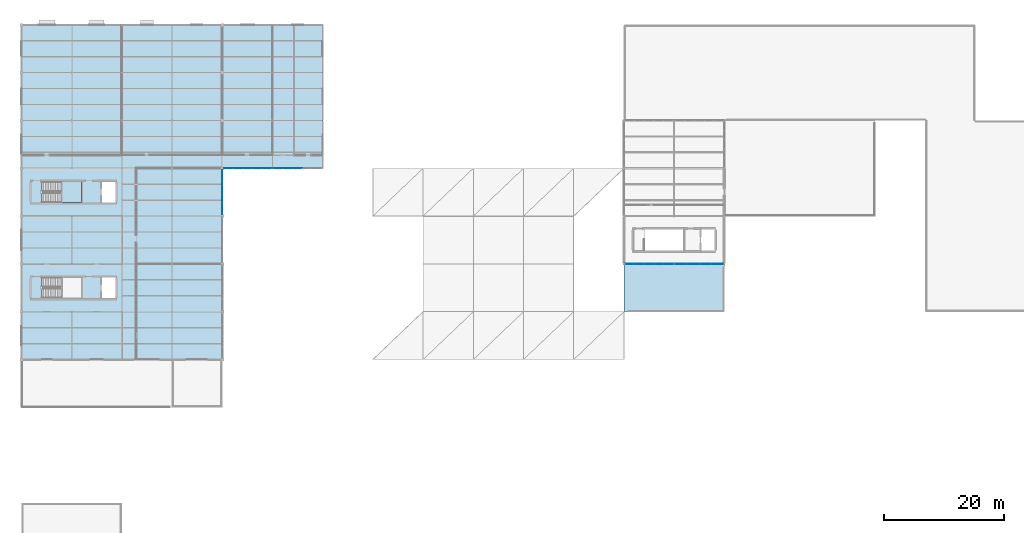
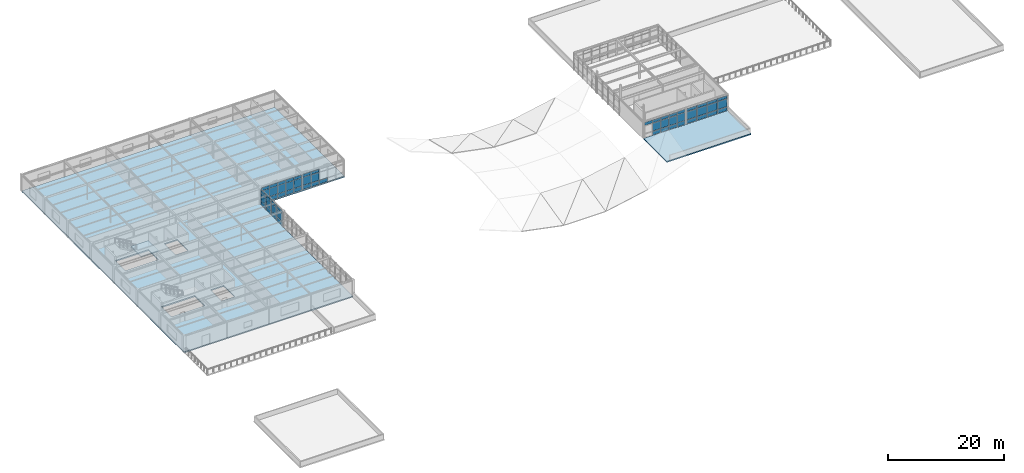
# One storey, part 20 of 32: 59 plates, 3 slabs, 6 elements without a shape of their own.
"""IFC4 building model written with IfcOpenShell, lengths in metres."""

from ifc_helpers import new_model, si_unit, direction, frame, origin, origin_2d, place, context, subcontext, project, spatial, polyline, rectangle, outline, extrude, material, layer, layer_set, type_object, element, aggregate, save


model = new_model("IFC4")

# Units and contexts
model_context = context("Model", 3, precision=1e-05, world=origin(), true_north=direction((0.0, 1.0)))
body_context = subcontext(model_context, "Body", "Model", "MODEL_VIEW")
ifc_project = project(units=[si_unit("LENGTHUNIT", "METRE"), si_unit("AREAUNIT", "SQUARE_METRE"), si_unit("VOLUMEUNIT", "CUBIC_METRE"), si_unit("PLANEANGLEUNIT", "RADIAN"), si_unit("MASSUNIT", "GRAM", prefix="KILO")], contexts=[model_context])

# Site, building, storey
site_placement = place(None, origin())
site = spatial("IfcSite", under=ifc_project, at=site_placement, CompositionType="ELEMENT")
building_placement = place(site_placement, origin())
building = spatial("IfcBuilding", under=site, at=building_placement, Name="Kranzveld Transit Interchange", CompositionType="ELEMENT")
storey_placement = place(building_placement, frame((0.0, 0.0, 17.199951171875)))
storey = spatial("IfcBuildingStorey", under=building, at=storey_placement, Name="L04", CompositionType="ELEMENT", Elevation=17.199951171875)

# Slabs
ifc_material_1 = material(Name="Concrete C35/45", Category="concrete")
ifc_layer_1 = layer(ifc_material_1, 0.260009765625)
ifc_layer_set_1 = layer_set([ifc_layer_1], Name="Concrete C35/45")
slab_type_1 = type_object("IfcSlabType", Name="Community Roof Slab 260 C35/45", PredefinedType="ROOF", material=ifc_layer_set_1)
slab_1_placement = place(storey_placement, frame((0.0, 0.0, -0.260009765625)))
element("IfcSlab", 1, at=slab_1_placement, inside=storey, type_object=slab_type_1, Name="L04 Flat Roof Slab 4", PredefinedType="ROOF", context=body_context, shape_type="SweptSolid", body=[
    extrude(outline(polyline([(117.60009765625, 64.0), (100.800048828125, 64.0), (100.800048828125, 72.0), (117.60009765625, 72.0), (117.60009765625, 64.0)])), origin(), (0.0, 0.0, 1.0), 0.260009765625),
])
ifc_material_2 = material(Name="Concrete C35/45", Category="concrete")
ifc_layer_2 = layer(ifc_material_2, 0.260009765625)
ifc_layer_set_2 = layer_set([ifc_layer_2], Name="Concrete C35/45")
slab_type_2 = type_object("IfcSlabType", Name="Composite Floor Slab 260 C35/45", PredefinedType="FLOOR", material=ifc_layer_set_2)
slab_2_placement = place(storey_placement, frame((0.0, 0.0, -0.260009765625)))
element("IfcSlab", 2, at=slab_2_placement, inside=storey, type_object=slab_type_2, Name="L04 Suspended Floor Slab 1", PredefinedType="FLOOR", context=body_context, shape_type="SweptSolid", body=[
    extrude(outline(polyline([(0.0, 56.0), (0.0, 112.0), (33.60009765625, 112.0), (50.39990234375, 112.0), (50.39990234375, 88.0), (33.60009765625, 88.0), (33.60009765625, 56.0), (0.0, 56.0)]), holes=[polyline([(3.41796875, 69.72998046875), (3.41796875, 66.27001953125), (10.050048828125, 66.27001953125), (10.050048828125, 69.72998046875), (3.41796875, 69.72998046875)]), polyline([(13.300048828125, 69.909912109375), (13.300048828125, 66.090087890625), (15.89990234375, 66.090087890625), (15.89990234375, 69.909912109375), (13.300048828125, 69.909912109375)]), polyline([(10.050048828125, 85.72998046875), (3.41796875, 85.72998046875), (3.41796875, 82.27001953125), (10.050048828125, 82.27001953125), (10.050048828125, 85.72998046875)]), polyline([(13.300048828125, 85.909912109375), (13.300048828125, 82.090087890625), (15.89990234375, 82.090087890625), (15.89990234375, 85.909912109375), (13.300048828125, 85.909912109375)])]), origin(), (0.0, 0.0, 1.0), 0.260009765625),
])

# Curtain wall, plates
ifc_material_3 = material(Name="Bronze-anodised thermally broken aluminium", Category="aluminium")
ifc_layer_3 = layer(ifc_material_3, 0.159912109375)
ifc_layer_set_3 = layer_set([ifc_layer_3], Name="Bronze-anodised thermally broken aluminium")
curtain_wall_type_1 = type_object("IfcCurtainWallType", Name="Bus Boarding Glazed Screen CW-3", PredefinedType="USERDEFINED", material=ifc_layer_set_3)
curtain_wall_1_placement = place(storey_placement, origin())
curtain_wall_1 = element("IfcCurtainWall", 3, at=curtain_wall_1_placement, inside=storey, type_object=curtain_wall_type_1, Name="L04 Curtain Wall 05/L-05/M", ObjectType="CURTAIN WALL", PredefinedType="USERDEFINED")
ifc_material_4 = material(Name="Solar-control double glazing", Category="glass")
ifc_layer_4 = layer(ifc_material_4, 0.031982421875)
ifc_layer_set_4 = layer_set([ifc_layer_4], Name="Solar-control double glazing")
plate_type_1 = type_object("IfcPlateType", Name="Curtain Panel Acoustic Glazing 32", PredefinedType="CURTAIN_PANEL", material=ifc_layer_set_4)
plate_1_placement = place(storey_placement, frame((33.60009765625, 81.202392578125, 0.06005859375), z_axis=(0.0, 0.0, 1.0), x_axis=(0.0, 1.0, 0.0)))
plate_1 = element("IfcPlate", 4, at=plate_1_placement, type_object=plate_type_1, Name="CW-3 panel 1.1", PredefinedType="CURTAIN_PANEL", context=body_context, shape_type="SweptSolid", body=[
    extrude(rectangle(XDim=1.784912109375, YDim=0.031982421875, at=origin_2d()), origin(), (0.0, 0.0, 1.0), 0.81005859375),
])
plate_2_placement = place(storey_placement, frame((33.60009765625, 81.202392578125, 0.93017578125), z_axis=(0.0, 0.0, 1.0), x_axis=(0.0, 1.0, 0.0)))
plate_2 = element("IfcPlate", 5, at=plate_2_placement, type_object=plate_type_1, Name="CW-3 panel 1.2", PredefinedType="CURTAIN_PANEL", context=body_context, shape_type="SweptSolid", body=[
    extrude(rectangle(XDim=1.784912109375, YDim=0.031982421875, at=origin_2d()), origin(), (0.0, 0.0, 1.0), 1.6298828125),
])
plate_3_placement = place(storey_placement, frame((33.60009765625, 81.202392578125, 2.6201171875), z_axis=(0.0, 0.0, 1.0), x_axis=(0.0, 1.0, 0.0)))
plate_3 = element("IfcPlate", 6, at=plate_3_placement, type_object=plate_type_1, Name="CW-3 panel 1.3", PredefinedType="CURTAIN_PANEL", context=body_context, shape_type="SweptSolid", body=[
    extrude(rectangle(XDim=1.784912109375, YDim=0.031982421875, at=origin_2d()), origin(), (0.0, 0.0, 1.0), 0.610107421875),
])
plate_4_placement = place(storey_placement, frame((33.60009765625, 83.0625, 0.06005859375), z_axis=(0.0, 0.0, 1.0), x_axis=(0.0, 1.0, 0.0)))
plate_4 = element("IfcPlate", 7, at=plate_4_placement, type_object=plate_type_1, Name="CW-3 panel 2.1", PredefinedType="CURTAIN_PANEL", context=body_context, shape_type="SweptSolid", body=[
    extrude(rectangle(XDim=1.81494140625, YDim=0.031982421875, at=origin_2d()), origin(), (0.0, 0.0, 1.0), 0.81005859375),
])
plate_5_placement = place(storey_placement, frame((33.60009765625, 83.0625, 0.93017578125), z_axis=(0.0, 0.0, 1.0), x_axis=(0.0, 1.0, 0.0)))
plate_5 = element("IfcPlate", 8, at=plate_5_placement, type_object=plate_type_1, Name="CW-3 panel 2.2", PredefinedType="CURTAIN_PANEL", context=body_context, shape_type="SweptSolid", body=[
    extrude(rectangle(XDim=1.81494140625, YDim=0.031982421875, at=origin_2d()), origin(), (0.0, 0.0, 1.0), 1.6298828125),
])
plate_6_placement = place(storey_placement, frame((33.60009765625, 83.0625, 2.6201171875), z_axis=(0.0, 0.0, 1.0), x_axis=(0.0, 1.0, 0.0)))
plate_6 = element("IfcPlate", 9, at=plate_6_placement, type_object=plate_type_1, Name="CW-3 panel 2.3", PredefinedType="CURTAIN_PANEL", context=body_context, shape_type="SweptSolid", body=[
    extrude(rectangle(XDim=1.81494140625, YDim=0.031982421875, at=origin_2d()), origin(), (0.0, 0.0, 1.0), 0.610107421875),
])
plate_7_placement = place(storey_placement, frame((33.60009765625, 84.9375, 0.06005859375), z_axis=(0.0, 0.0, 1.0), x_axis=(0.0, 1.0, 0.0)))
plate_7 = element("IfcPlate", 10, at=plate_7_placement, type_object=plate_type_1, Name="CW-3 panel 3.1", PredefinedType="CURTAIN_PANEL", context=body_context, shape_type="SweptSolid", body=[
    extrude(rectangle(XDim=1.81494140625, YDim=0.031982421875, at=origin_2d()), origin(), (0.0, 0.0, 1.0), 0.81005859375),
])
plate_8_placement = place(storey_placement, frame((33.60009765625, 84.9375, 0.93017578125), z_axis=(0.0, 0.0, 1.0), x_axis=(0.0, 1.0, 0.0)))
plate_8 = element("IfcPlate", 11, at=plate_8_placement, type_object=plate_type_1, Name="CW-3 panel 3.2", PredefinedType="CURTAIN_PANEL", context=body_context, shape_type="SweptSolid", body=[
    extrude(rectangle(XDim=1.81494140625, YDim=0.031982421875, at=origin_2d()), origin(), (0.0, 0.0, 1.0), 1.6298828125),
])
plate_9_placement = place(storey_placement, frame((33.60009765625, 84.9375, 2.6201171875), z_axis=(0.0, 0.0, 1.0), x_axis=(0.0, 1.0, 0.0)))
plate_9 = element("IfcPlate", 12, at=plate_9_placement, type_object=plate_type_1, Name="CW-3 panel 3.3", PredefinedType="CURTAIN_PANEL", context=body_context, shape_type="SweptSolid", body=[
    extrude(rectangle(XDim=1.81494140625, YDim=0.031982421875, at=origin_2d()), origin(), (0.0, 0.0, 1.0), 0.610107421875),
])
plate_10_placement = place(storey_placement, frame((33.60009765625, 86.797607421875, 0.06005859375), z_axis=(0.0, 0.0, 1.0), x_axis=(0.0, 1.0, 0.0)))
plate_10 = element("IfcPlate", 13, at=plate_10_placement, type_object=plate_type_1, Name="CW-3 panel 4.1", PredefinedType="CURTAIN_PANEL", context=body_context, shape_type="SweptSolid", body=[
    extrude(rectangle(XDim=1.784912109375, YDim=0.031982421875, at=origin_2d()), origin(), (0.0, 0.0, 1.0), 0.81005859375),
])
plate_11_placement = place(storey_placement, frame((33.60009765625, 86.797607421875, 0.93017578125), z_axis=(0.0, 0.0, 1.0), x_axis=(0.0, 1.0, 0.0)))
plate_11 = element("IfcPlate", 14, at=plate_11_placement, type_object=plate_type_1, Name="CW-3 panel 4.2", PredefinedType="CURTAIN_PANEL", context=body_context, shape_type="SweptSolid", body=[
    extrude(rectangle(XDim=1.784912109375, YDim=0.031982421875, at=origin_2d()), origin(), (0.0, 0.0, 1.0), 1.6298828125),
])
plate_12_placement = place(storey_placement, frame((33.60009765625, 86.797607421875, 2.6201171875), z_axis=(0.0, 0.0, 1.0), x_axis=(0.0, 1.0, 0.0)))
plate_12 = element("IfcPlate", 15, at=plate_12_placement, type_object=plate_type_1, Name="CW-3 panel 4.3", PredefinedType="CURTAIN_PANEL", context=body_context, shape_type="SweptSolid", body=[
    extrude(rectangle(XDim=1.784912109375, YDim=0.031982421875, at=origin_2d()), origin(), (0.0, 0.0, 1.0), 0.610107421875),
])
aggregate(curtain_wall_1, [plate_1, plate_2, plate_3, plate_4, plate_5, plate_6, plate_7, plate_8, plate_9, plate_10, plate_11, plate_12])

ifc_material_5 = material(Name="Bronze-anodised thermally broken aluminium", Category="aluminium")
ifc_layer_5 = layer(ifc_material_5, 0.1650390625)
ifc_layer_set_5 = layer_set([ifc_layer_5], Name="Bronze-anodised thermally broken aluminium")
curtain_wall_type_2 = type_object("IfcCurtainWallType", Name="Sunny Court Arcade Curtain Wall CW-2", PredefinedType="USERDEFINED", material=ifc_layer_set_5)
curtain_wall_2_placement = place(storey_placement, origin())
curtain_wall_2 = element("IfcCurtainWall", 16, at=curtain_wall_2_placement, inside=storey, type_object=curtain_wall_type_2, Name="L04 Curtain Wall 06/M-07/M", ObjectType="CURTAIN WALL", PredefinedType="USERDEFINED")
ifc_material_6 = material(Name="Pretoria red-purple clinker clay face brick, 35 MPa", Category="masonry")
ifc_layer_6 = layer(ifc_material_6, 0.050048828125)
ifc_layer_set_6 = layer_set([ifc_layer_6], Name="Pretoria red-purple clinker clay face brick, 35 MPa")
plate_type_2 = type_object("IfcPlateType", Name="Curtain Spandrel Clinker Tile 50", PredefinedType="CURTAIN_PANEL", material=ifc_layer_set_6)
plate_13_placement = place(storey_placement, frame((42.9384765625, 88.0, 0.06005859375), z_axis=(0.0, 0.0, 1.0), x_axis=(1.0, 0.0, 0.0)))
plate_13 = element("IfcPlate", 17, at=plate_13_placement, type_object=plate_type_2, Name="CW-2 panel 1.1", PredefinedType="CURTAIN_PANEL", context=body_context, shape_type="SweptSolid", body=[
    extrude(rectangle(XDim=1.541259765625, YDim=0.050048828125, at=origin_2d()), origin(), (0.0, 0.0, 1.0), 0.81005859375),
])
plate_14_placement = place(storey_placement, frame((42.9384765625, 88.0, 0.93017578125), z_axis=(0.0, 0.0, 1.0), x_axis=(1.0, 0.0, 0.0)))
plate_14 = element("IfcPlate", 18, at=plate_14_placement, type_object=plate_type_2, Name="CW-2 panel 1.2", PredefinedType="CURTAIN_PANEL", context=body_context, shape_type="SweptSolid", body=[
    extrude(rectangle(XDim=1.541259765625, YDim=0.050048828125, at=origin_2d()), origin(), (0.0, 0.0, 1.0), 1.669921875),
])
plate_15_placement = place(storey_placement, frame((42.9384765625, 88.0, 2.66015625), z_axis=(0.0, 0.0, 1.0), x_axis=(1.0, 0.0, 0.0)))
plate_15 = element("IfcPlate", 19, at=plate_15_placement, type_object=plate_type_2, Name="CW-2 panel 1.3", PredefinedType="CURTAIN_PANEL", context=body_context, shape_type="SweptSolid", body=[
    extrude(rectangle(XDim=1.541259765625, YDim=0.050048828125, at=origin_2d()), origin(), (0.0, 0.0, 1.0), 0.610107421875),
])
plate_16_placement = place(storey_placement, frame((44.561279296875, 88.0, 0.06005859375), z_axis=(0.0, 0.0, 1.0), x_axis=(1.0, 0.0, 0.0)))
plate_16 = element("IfcPlate", 20, at=plate_16_placement, type_object=plate_type_2, Name="CW-2 panel 2.1", PredefinedType="CURTAIN_PANEL", context=body_context, shape_type="SweptSolid", body=[
    extrude(rectangle(XDim=1.57373046875, YDim=0.050048828125, at=origin_2d()), origin(), (0.0, 0.0, 1.0), 0.81005859375),
])
plate_17_placement = place(storey_placement, frame((44.561279296875, 88.0, 0.93017578125), z_axis=(0.0, 0.0, 1.0), x_axis=(1.0, 0.0, 0.0)))
plate_17 = element("IfcPlate", 21, at=plate_17_placement, type_object=plate_type_2, Name="CW-2 panel 2.2", PredefinedType="CURTAIN_PANEL", context=body_context, shape_type="SweptSolid", body=[
    extrude(rectangle(XDim=1.57373046875, YDim=0.050048828125, at=origin_2d()), origin(), (0.0, 0.0, 1.0), 1.669921875),
])
plate_18_placement = place(storey_placement, frame((44.561279296875, 88.0, 2.66015625), z_axis=(0.0, 0.0, 1.0), x_axis=(1.0, 0.0, 0.0)))
plate_18 = element("IfcPlate", 22, at=plate_18_placement, type_object=plate_type_2, Name="CW-2 panel 2.3", PredefinedType="CURTAIN_PANEL", context=body_context, shape_type="SweptSolid", body=[
    extrude(rectangle(XDim=1.57373046875, YDim=0.050048828125, at=origin_2d()), origin(), (0.0, 0.0, 1.0), 0.610107421875),
])
plate_19_placement = place(storey_placement, frame((46.199951171875, 88.0, 0.06005859375), z_axis=(0.0, 0.0, 1.0), x_axis=(1.0, 0.0, 0.0)))
plate_19 = element("IfcPlate", 23, at=plate_19_placement, type_object=plate_type_2, Name="CW-2 panel 3.1", PredefinedType="CURTAIN_PANEL", context=body_context, shape_type="SweptSolid", body=[
    extrude(rectangle(XDim=1.57373046875, YDim=0.050048828125, at=origin_2d()), origin(), (0.0, 0.0, 1.0), 0.81005859375),
])
aggregate(curtain_wall_2, [plate_13, plate_14, plate_15, plate_16, plate_17, plate_18, plate_19])

curtain_wall_3_placement = place(storey_placement, origin())
curtain_wall_3 = element("IfcCurtainWall", 24, at=curtain_wall_3_placement, inside=storey, type_object=curtain_wall_type_2, Name="L04 Curtain Wall 13/K-14/K", ObjectType="CURTAIN WALL", PredefinedType="USERDEFINED")
plate_20_placement = place(storey_placement, frame((101.738525390625, 72.0, 2.66015625), z_axis=(0.0, 0.0, 1.0), x_axis=(1.0, 0.0, 0.0)))
plate_20 = element("IfcPlate", 25, at=plate_20_placement, type_object=plate_type_2, Name="CW-2 panel 1.3", PredefinedType="CURTAIN_PANEL", context=body_context, shape_type="SweptSolid", body=[
    extrude(rectangle(XDim=1.541259765625, YDim=0.050048828125, at=origin_2d()), origin(), (0.0, 0.0, 1.0), 0.610107421875),
])
plate_21_placement = place(storey_placement, frame((103.361083984375, 72.0, 0.06005859375), z_axis=(0.0, 0.0, 1.0), x_axis=(1.0, 0.0, 0.0)))
plate_21 = element("IfcPlate", 26, at=plate_21_placement, type_object=plate_type_2, Name="CW-2 panel 2.1", PredefinedType="CURTAIN_PANEL", context=body_context, shape_type="SweptSolid", body=[
    extrude(rectangle(XDim=1.57373046875, YDim=0.050048828125, at=origin_2d()), origin(), (0.0, 0.0, 1.0), 0.81005859375),
])
plate_22_placement = place(storey_placement, frame((103.361083984375, 72.0, 0.93017578125), z_axis=(0.0, 0.0, 1.0), x_axis=(1.0, 0.0, 0.0)))
plate_22 = element("IfcPlate", 27, at=plate_22_placement, type_object=plate_type_2, Name="CW-2 panel 2.2", PredefinedType="CURTAIN_PANEL", context=body_context, shape_type="SweptSolid", body=[
    extrude(rectangle(XDim=1.57373046875, YDim=0.050048828125, at=origin_2d()), origin(), (0.0, 0.0, 1.0), 1.669921875),
])
plate_23_placement = place(storey_placement, frame((103.361083984375, 72.0, 2.66015625), z_axis=(0.0, 0.0, 1.0), x_axis=(1.0, 0.0, 0.0)))
plate_23 = element("IfcPlate", 28, at=plate_23_placement, type_object=plate_type_2, Name="CW-2 panel 2.3", PredefinedType="CURTAIN_PANEL", context=body_context, shape_type="SweptSolid", body=[
    extrude(rectangle(XDim=1.57373046875, YDim=0.050048828125, at=origin_2d()), origin(), (0.0, 0.0, 1.0), 0.610107421875),
])
plate_24_placement = place(storey_placement, frame((105.0, 72.0, 0.06005859375), z_axis=(0.0, 0.0, 1.0), x_axis=(1.0, 0.0, 0.0)))
plate_24 = element("IfcPlate", 29, at=plate_24_placement, type_object=plate_type_2, Name="CW-2 panel 3.1", PredefinedType="CURTAIN_PANEL", context=body_context, shape_type="SweptSolid", body=[
    extrude(rectangle(XDim=1.57373046875, YDim=0.050048828125, at=origin_2d()), origin(), (0.0, 0.0, 1.0), 0.81005859375),
])
plate_25_placement = place(storey_placement, frame((105.0, 72.0, 0.93017578125), z_axis=(0.0, 0.0, 1.0), x_axis=(1.0, 0.0, 0.0)))
plate_25 = element("IfcPlate", 30, at=plate_25_placement, type_object=plate_type_2, Name="CW-2 panel 3.2", PredefinedType="CURTAIN_PANEL", context=body_context, shape_type="SweptSolid", body=[
    extrude(rectangle(XDim=1.57373046875, YDim=0.050048828125, at=origin_2d()), origin(), (0.0, 0.0, 1.0), 1.669921875),
])
plate_26_placement = place(storey_placement, frame((105.0, 72.0, 2.66015625), z_axis=(0.0, 0.0, 1.0), x_axis=(1.0, 0.0, 0.0)))
plate_26 = element("IfcPlate", 31, at=plate_26_placement, type_object=plate_type_2, Name="CW-2 panel 3.3", PredefinedType="CURTAIN_PANEL", context=body_context, shape_type="SweptSolid", body=[
    extrude(rectangle(XDim=1.57373046875, YDim=0.050048828125, at=origin_2d()), origin(), (0.0, 0.0, 1.0), 0.610107421875),
])
plate_27_placement = place(storey_placement, frame((106.638916015625, 72.0, 0.06005859375), z_axis=(0.0, 0.0, 1.0), x_axis=(1.0, 0.0, 0.0)))
plate_27 = element("IfcPlate", 32, at=plate_27_placement, type_object=plate_type_2, Name="CW-2 panel 4.1", PredefinedType="CURTAIN_PANEL", context=body_context, shape_type="SweptSolid", body=[
    extrude(rectangle(XDim=1.57373046875, YDim=0.050048828125, at=origin_2d()), origin(), (0.0, 0.0, 1.0), 0.81005859375),
])
plate_28_placement = place(storey_placement, frame((106.638916015625, 72.0, 0.93017578125), z_axis=(0.0, 0.0, 1.0), x_axis=(1.0, 0.0, 0.0)))
plate_28 = element("IfcPlate", 33, at=plate_28_placement, type_object=plate_type_2, Name="CW-2 panel 4.2", PredefinedType="CURTAIN_PANEL", context=body_context, shape_type="SweptSolid", body=[
    extrude(rectangle(XDim=1.57373046875, YDim=0.050048828125, at=origin_2d()), origin(), (0.0, 0.0, 1.0), 1.669921875),
])
plate_29_placement = place(storey_placement, frame((106.638916015625, 72.0, 2.66015625), z_axis=(0.0, 0.0, 1.0), x_axis=(1.0, 0.0, 0.0)))
plate_29 = element("IfcPlate", 34, at=plate_29_placement, type_object=plate_type_2, Name="CW-2 panel 4.3", PredefinedType="CURTAIN_PANEL", context=body_context, shape_type="SweptSolid", body=[
    extrude(rectangle(XDim=1.57373046875, YDim=0.050048828125, at=origin_2d()), origin(), (0.0, 0.0, 1.0), 0.610107421875),
])
plate_30_placement = place(storey_placement, frame((108.261474609375, 72.0, 0.06005859375), z_axis=(0.0, 0.0, 1.0), x_axis=(1.0, 0.0, 0.0)))
plate_30 = element("IfcPlate", 35, at=plate_30_placement, type_object=plate_type_2, Name="CW-2 panel 5.1", PredefinedType="CURTAIN_PANEL", context=body_context, shape_type="SweptSolid", body=[
    extrude(rectangle(XDim=1.541259765625, YDim=0.050048828125, at=origin_2d()), origin(), (0.0, 0.0, 1.0), 0.81005859375),
])
plate_31_placement = place(storey_placement, frame((108.261474609375, 72.0, 0.93017578125), z_axis=(0.0, 0.0, 1.0), x_axis=(1.0, 0.0, 0.0)))
plate_31 = element("IfcPlate", 36, at=plate_31_placement, type_object=plate_type_2, Name="CW-2 panel 5.2", PredefinedType="CURTAIN_PANEL", context=body_context, shape_type="SweptSolid", body=[
    extrude(rectangle(XDim=1.541259765625, YDim=0.050048828125, at=origin_2d()), origin(), (0.0, 0.0, 1.0), 1.669921875),
])
plate_32_placement = place(storey_placement, frame((108.261474609375, 72.0, 2.66015625), z_axis=(0.0, 0.0, 1.0), x_axis=(1.0, 0.0, 0.0)))
plate_32 = element("IfcPlate", 37, at=plate_32_placement, type_object=plate_type_2, Name="CW-2 panel 5.3", PredefinedType="CURTAIN_PANEL", context=body_context, shape_type="SweptSolid", body=[
    extrude(rectangle(XDim=1.541259765625, YDim=0.050048828125, at=origin_2d()), origin(), (0.0, 0.0, 1.0), 0.610107421875),
])
aggregate(curtain_wall_3, [plate_20, plate_21, plate_22, plate_23, plate_24, plate_25, plate_26, plate_27, plate_28, plate_29, plate_30, plate_31, plate_32])

curtain_wall_4_placement = place(storey_placement, origin())
curtain_wall_4 = element("IfcCurtainWall", 38, at=curtain_wall_4_placement, inside=storey, type_object=curtain_wall_type_1, Name="L04 Curtain Wall 14/K-15/K", ObjectType="CURTAIN WALL", PredefinedType="USERDEFINED")
ifc_material_7 = material(Name="Bronze-anodised thermally broken aluminium", Category="aluminium")
ifc_layer_7 = layer(ifc_material_7, 0.053955078125)
ifc_layer_set_7 = layer_set([ifc_layer_7], Name="Bronze-anodised thermally broken aluminium")
plate_type_3 = type_object("IfcPlateType", Name="Curtain Spandrel Insulated Alu 54", PredefinedType="CURTAIN_PANEL", material=ifc_layer_set_7)
plate_33_placement = place(storey_placement, frame((110.34228515625, 72.0, 0.06494140625), z_axis=(0.0, 0.0, 1.0), x_axis=(1.0, 0.0, 0.0)))
plate_33 = element("IfcPlate", 39, at=plate_33_placement, type_object=plate_type_3, Name="CW-3 panel 1.1", PredefinedType="CURTAIN_PANEL", context=body_context, shape_type="SweptSolid", body=[
    extrude(rectangle(XDim=1.95849609375, YDim=0.053955078125, at=origin_2d()), origin(), (0.0, 0.0, 1.0), 0.802490234375),
])
plate_34_placement = place(storey_placement, frame((110.34228515625, 72.0, 0.9326171875), z_axis=(0.0, 0.0, 1.0), x_axis=(1.0, 0.0, 0.0)))
plate_34 = element("IfcPlate", 40, at=plate_34_placement, type_object=plate_type_3, Name="CW-3 panel 1.2", PredefinedType="CURTAIN_PANEL", context=body_context, shape_type="SweptSolid", body=[
    extrude(rectangle(XDim=1.95849609375, YDim=0.053955078125, at=origin_2d()), origin(), (0.0, 0.0, 1.0), 1.6650390625),
])
plate_35_placement = place(storey_placement, frame((110.34228515625, 72.0, 2.66259765625), z_axis=(0.0, 0.0, 1.0), x_axis=(1.0, 0.0, 0.0)))
plate_35 = element("IfcPlate", 41, at=plate_35_placement, type_object=plate_type_3, Name="CW-3 panel 1.3", PredefinedType="CURTAIN_PANEL", context=body_context, shape_type="SweptSolid", body=[
    extrude(rectangle(XDim=1.95849609375, YDim=0.053955078125, at=origin_2d()), origin(), (0.0, 0.0, 1.0), 0.6025390625),
])
plate_36_placement = place(storey_placement, frame((112.375732421875, 72.0, 0.06494140625), z_axis=(0.0, 0.0, 1.0), x_axis=(1.0, 0.0, 0.0)))
plate_36 = element("IfcPlate", 42, at=plate_36_placement, type_object=plate_type_3, Name="CW-3 panel 2.1", PredefinedType="CURTAIN_PANEL", context=body_context, shape_type="SweptSolid", body=[
    extrude(rectangle(XDim=1.988525390625, YDim=0.053955078125, at=origin_2d()), origin(), (0.0, 0.0, 1.0), 0.802490234375),
])
plate_37_placement = place(storey_placement, frame((112.375732421875, 72.0, 0.9326171875), z_axis=(0.0, 0.0, 1.0), x_axis=(1.0, 0.0, 0.0)))
plate_37 = element("IfcPlate", 43, at=plate_37_placement, type_object=plate_type_3, Name="CW-3 panel 2.2", PredefinedType="CURTAIN_PANEL", context=body_context, shape_type="SweptSolid", body=[
    extrude(rectangle(XDim=1.988525390625, YDim=0.053955078125, at=origin_2d()), origin(), (0.0, 0.0, 1.0), 1.6650390625),
])
plate_38_placement = place(storey_placement, frame((112.375732421875, 72.0, 2.66259765625), z_axis=(0.0, 0.0, 1.0), x_axis=(1.0, 0.0, 0.0)))
plate_38 = element("IfcPlate", 44, at=plate_38_placement, type_object=plate_type_3, Name="CW-3 panel 2.3", PredefinedType="CURTAIN_PANEL", context=body_context, shape_type="SweptSolid", body=[
    extrude(rectangle(XDim=1.988525390625, YDim=0.053955078125, at=origin_2d()), origin(), (0.0, 0.0, 1.0), 0.6025390625),
])
plate_39_placement = place(storey_placement, frame((114.42431640625, 72.0, 0.06494140625), z_axis=(0.0, 0.0, 1.0), x_axis=(1.0, 0.0, 0.0)))
plate_39 = element("IfcPlate", 45, at=plate_39_placement, type_object=plate_type_3, Name="CW-3 panel 3.1", PredefinedType="CURTAIN_PANEL", context=body_context, shape_type="SweptSolid", body=[
    extrude(rectangle(XDim=1.988525390625, YDim=0.053955078125, at=origin_2d()), origin(), (0.0, 0.0, 1.0), 0.802490234375),
])
plate_40_placement = place(storey_placement, frame((114.42431640625, 72.0, 0.9326171875), z_axis=(0.0, 0.0, 1.0), x_axis=(1.0, 0.0, 0.0)))
plate_40 = element("IfcPlate", 46, at=plate_40_placement, type_object=plate_type_3, Name="CW-3 panel 3.2", PredefinedType="CURTAIN_PANEL", context=body_context, shape_type="SweptSolid", body=[
    extrude(rectangle(XDim=1.988525390625, YDim=0.053955078125, at=origin_2d()), origin(), (0.0, 0.0, 1.0), 1.6650390625),
])
plate_41_placement = place(storey_placement, frame((114.42431640625, 72.0, 2.66259765625), z_axis=(0.0, 0.0, 1.0), x_axis=(1.0, 0.0, 0.0)))
plate_41 = element("IfcPlate", 47, at=plate_41_placement, type_object=plate_type_3, Name="CW-3 panel 3.3", PredefinedType="CURTAIN_PANEL", context=body_context, shape_type="SweptSolid", body=[
    extrude(rectangle(XDim=1.988525390625, YDim=0.053955078125, at=origin_2d()), origin(), (0.0, 0.0, 1.0), 0.6025390625),
])
plate_42_placement = place(storey_placement, frame((116.457763671875, 72.0, 0.06494140625), z_axis=(0.0, 0.0, 1.0), x_axis=(1.0, 0.0, 0.0)))
plate_42 = element("IfcPlate", 48, at=plate_42_placement, type_object=plate_type_3, Name="CW-3 panel 4.1", PredefinedType="CURTAIN_PANEL", context=body_context, shape_type="SweptSolid", body=[
    extrude(rectangle(XDim=1.95849609375, YDim=0.053955078125, at=origin_2d()), origin(), (0.0, 0.0, 1.0), 0.802490234375),
])
plate_43_placement = place(storey_placement, frame((116.457763671875, 72.0, 0.9326171875), z_axis=(0.0, 0.0, 1.0), x_axis=(1.0, 0.0, 0.0)))
plate_43 = element("IfcPlate", 49, at=plate_43_placement, type_object=plate_type_3, Name="CW-3 panel 4.2", PredefinedType="CURTAIN_PANEL", context=body_context, shape_type="SweptSolid", body=[
    extrude(rectangle(XDim=1.95849609375, YDim=0.053955078125, at=origin_2d()), origin(), (0.0, 0.0, 1.0), 1.6650390625),
])
plate_44_placement = place(storey_placement, frame((116.457763671875, 72.0, 2.66259765625), z_axis=(0.0, 0.0, 1.0), x_axis=(1.0, 0.0, 0.0)))
plate_44 = element("IfcPlate", 50, at=plate_44_placement, type_object=plate_type_3, Name="CW-3 panel 4.3", PredefinedType="CURTAIN_PANEL", context=body_context, shape_type="SweptSolid", body=[
    extrude(rectangle(XDim=1.95849609375, YDim=0.053955078125, at=origin_2d()), origin(), (0.0, 0.0, 1.0), 0.6025390625),
])
aggregate(curtain_wall_4, [plate_33, plate_34, plate_35, plate_36, plate_37, plate_38, plate_39, plate_40, plate_41, plate_42, plate_43, plate_44])

ifc_material_8 = material(Name="Bronze-anodised thermally broken aluminium", Category="aluminium")
ifc_layer_8 = layer(ifc_material_8, 0.155029296875)
ifc_layer_set_8 = layer_set([ifc_layer_8], Name="Bronze-anodised thermally broken aluminium")
curtain_wall_type_3 = type_object("IfcCurtainWallType", Name="Operations Courtyard Glazed Screen CW-6", PredefinedType="USERDEFINED", material=ifc_layer_set_8)
curtain_wall_5_placement = place(storey_placement, origin())
curtain_wall_5 = element("IfcCurtainWall", 51, at=curtain_wall_5_placement, inside=storey, type_object=curtain_wall_type_3, Name="L04 Curtain Wall 05/M-06/M", ObjectType="CURTAIN WALL", PredefinedType="USERDEFINED")
ifc_material_9 = material(Name="Ochre Pretoria sandstone cladding, 45 MPa", Category="masonry")
ifc_layer_9 = layer(ifc_material_9, 0.0458984375)
ifc_layer_set_9 = layer_set([ifc_layer_9], Name="Ochre Pretoria sandstone cladding, 45 MPa")
plate_type_4 = type_object("IfcPlateType", Name="Curtain Spandrel Sandstone 46", PredefinedType="CURTAIN_PANEL", material=ifc_layer_set_9)
plate_45_placement = place(storey_placement, frame((34.6708984375, 88.0, 0.06005859375), z_axis=(0.0, 0.0, 1.0), x_axis=(1.0, 0.0, 0.0)))
plate_45 = element("IfcPlate", 52, at=plate_45_placement, type_object=plate_type_4, Name="CW-6 panel 1.1", PredefinedType="CURTAIN_PANEL", context=body_context, shape_type="SweptSolid", body=[
    extrude(rectangle(XDim=1.511962890625, YDim=0.0458984375, at=origin_2d()), origin(), (0.0, 0.0, 1.0), 0.81005859375),
])
plate_46_placement = place(storey_placement, frame((34.6708984375, 88.0, 0.93017578125), z_axis=(0.0, 0.0, 1.0), x_axis=(1.0, 0.0, 0.0)))
plate_46 = element("IfcPlate", 53, at=plate_46_placement, type_object=plate_type_4, Name="CW-6 panel 1.2", PredefinedType="CURTAIN_PANEL", context=body_context, shape_type="SweptSolid", body=[
    extrude(rectangle(XDim=1.511962890625, YDim=0.0458984375, at=origin_2d()), origin(), (0.0, 0.0, 1.0), 1.669921875),
])
plate_47_placement = place(storey_placement, frame((34.6708984375, 88.0, 2.66015625), z_axis=(0.0, 0.0, 1.0), x_axis=(1.0, 0.0, 0.0)))
plate_47 = element("IfcPlate", 54, at=plate_47_placement, type_object=plate_type_4, Name="CW-6 panel 1.3", PredefinedType="CURTAIN_PANEL", context=body_context, shape_type="SweptSolid", body=[
    extrude(rectangle(XDim=1.511962890625, YDim=0.0458984375, at=origin_2d()), origin(), (0.0, 0.0, 1.0), 0.610107421875),
])
plate_48_placement = place(storey_placement, frame((36.26416015625, 88.0, 0.06005859375), z_axis=(0.0, 0.0, 1.0), x_axis=(1.0, 0.0, 0.0)))
plate_48 = element("IfcPlate", 55, at=plate_48_placement, type_object=plate_type_4, Name="CW-6 panel 2.1", PredefinedType="CURTAIN_PANEL", context=body_context, shape_type="SweptSolid", body=[
    extrude(rectangle(XDim=1.54443359375, YDim=0.0458984375, at=origin_2d()), origin(), (0.0, 0.0, 1.0), 0.81005859375),
])
plate_49_placement = place(storey_placement, frame((36.26416015625, 88.0, 0.93017578125), z_axis=(0.0, 0.0, 1.0), x_axis=(1.0, 0.0, 0.0)))
plate_49 = element("IfcPlate", 56, at=plate_49_placement, type_object=plate_type_4, Name="CW-6 panel 2.2", PredefinedType="CURTAIN_PANEL", context=body_context, shape_type="SweptSolid", body=[
    extrude(rectangle(XDim=1.54443359375, YDim=0.0458984375, at=origin_2d()), origin(), (0.0, 0.0, 1.0), 1.669921875),
])
plate_50_placement = place(storey_placement, frame((36.26416015625, 88.0, 2.66015625), z_axis=(0.0, 0.0, 1.0), x_axis=(1.0, 0.0, 0.0)))
plate_50 = element("IfcPlate", 57, at=plate_50_placement, type_object=plate_type_4, Name="CW-6 panel 2.3", PredefinedType="CURTAIN_PANEL", context=body_context, shape_type="SweptSolid", body=[
    extrude(rectangle(XDim=1.54443359375, YDim=0.0458984375, at=origin_2d()), origin(), (0.0, 0.0, 1.0), 0.610107421875),
])
plate_51_placement = place(storey_placement, frame((37.87353515625, 88.0, 0.06005859375), z_axis=(0.0, 0.0, 1.0), x_axis=(1.0, 0.0, 0.0)))
plate_51 = element("IfcPlate", 58, at=plate_51_placement, type_object=plate_type_4, Name="CW-6 panel 3.1", PredefinedType="CURTAIN_PANEL", context=body_context, shape_type="SweptSolid", body=[
    extrude(rectangle(XDim=1.54443359375, YDim=0.0458984375, at=origin_2d()), origin(), (0.0, 0.0, 1.0), 0.81005859375),
])
plate_52_placement = place(storey_placement, frame((37.87353515625, 88.0, 0.93017578125), z_axis=(0.0, 0.0, 1.0), x_axis=(1.0, 0.0, 0.0)))
plate_52 = element("IfcPlate", 59, at=plate_52_placement, type_object=plate_type_4, Name="CW-6 panel 3.2", PredefinedType="CURTAIN_PANEL", context=body_context, shape_type="SweptSolid", body=[
    extrude(rectangle(XDim=1.54443359375, YDim=0.0458984375, at=origin_2d()), origin(), (0.0, 0.0, 1.0), 1.669921875),
])
plate_53_placement = place(storey_placement, frame((37.87353515625, 88.0, 2.66015625), z_axis=(0.0, 0.0, 1.0), x_axis=(1.0, 0.0, 0.0)))
plate_53 = element("IfcPlate", 60, at=plate_53_placement, type_object=plate_type_4, Name="CW-6 panel 3.3", PredefinedType="CURTAIN_PANEL", context=body_context, shape_type="SweptSolid", body=[
    extrude(rectangle(XDim=1.54443359375, YDim=0.0458984375, at=origin_2d()), origin(), (0.0, 0.0, 1.0), 0.610107421875),
])
plate_54_placement = place(storey_placement, frame((39.48291015625, 88.0, 0.06005859375), z_axis=(0.0, 0.0, 1.0), x_axis=(1.0, 0.0, 0.0)))
plate_54 = element("IfcPlate", 61, at=plate_54_placement, type_object=plate_type_4, Name="CW-6 panel 4.1", PredefinedType="CURTAIN_PANEL", context=body_context, shape_type="SweptSolid", body=[
    extrude(rectangle(XDim=1.54443359375, YDim=0.0458984375, at=origin_2d()), origin(), (0.0, 0.0, 1.0), 0.81005859375),
])
plate_55_placement = place(storey_placement, frame((39.48291015625, 88.0, 0.93017578125), z_axis=(0.0, 0.0, 1.0), x_axis=(1.0, 0.0, 0.0)))
plate_55 = element("IfcPlate", 62, at=plate_55_placement, type_object=plate_type_4, Name="CW-6 panel 4.2", PredefinedType="CURTAIN_PANEL", context=body_context, shape_type="SweptSolid", body=[
    extrude(rectangle(XDim=1.54443359375, YDim=0.0458984375, at=origin_2d()), origin(), (0.0, 0.0, 1.0), 1.669921875),
])
plate_56_placement = place(storey_placement, frame((39.48291015625, 88.0, 2.66015625), z_axis=(0.0, 0.0, 1.0), x_axis=(1.0, 0.0, 0.0)))
plate_56 = element("IfcPlate", 63, at=plate_56_placement, type_object=plate_type_4, Name="CW-6 panel 4.3", PredefinedType="CURTAIN_PANEL", context=body_context, shape_type="SweptSolid", body=[
    extrude(rectangle(XDim=1.54443359375, YDim=0.0458984375, at=origin_2d()), origin(), (0.0, 0.0, 1.0), 0.610107421875),
])
plate_57_placement = place(storey_placement, frame((41.076171875, 88.0, 0.06005859375), z_axis=(0.0, 0.0, 1.0), x_axis=(1.0, 0.0, 0.0)))
plate_57 = element("IfcPlate", 64, at=plate_57_placement, type_object=plate_type_4, Name="CW-6 panel 5.1", PredefinedType="CURTAIN_PANEL", context=body_context, shape_type="SweptSolid", body=[
    extrude(rectangle(XDim=1.511962890625, YDim=0.0458984375, at=origin_2d()), origin(), (0.0, 0.0, 1.0), 0.81005859375),
])
plate_58_placement = place(storey_placement, frame((41.076171875, 88.0, 0.93017578125), z_axis=(0.0, 0.0, 1.0), x_axis=(1.0, 0.0, 0.0)))
plate_58 = element("IfcPlate", 65, at=plate_58_placement, type_object=plate_type_4, Name="CW-6 panel 5.2", PredefinedType="CURTAIN_PANEL", context=body_context, shape_type="SweptSolid", body=[
    extrude(rectangle(XDim=1.511962890625, YDim=0.0458984375, at=origin_2d()), origin(), (0.0, 0.0, 1.0), 1.669921875),
])
plate_59_placement = place(storey_placement, frame((41.076171875, 88.0, 2.66015625), z_axis=(0.0, 0.0, 1.0), x_axis=(1.0, 0.0, 0.0)))
plate_59 = element("IfcPlate", 66, at=plate_59_placement, type_object=plate_type_4, Name="CW-6 panel 5.3", PredefinedType="CURTAIN_PANEL", context=body_context, shape_type="SweptSolid", body=[
    extrude(rectangle(XDim=1.511962890625, YDim=0.0458984375, at=origin_2d()), origin(), (0.0, 0.0, 1.0), 0.610107421875),
])
aggregate(curtain_wall_5, [plate_45, plate_46, plate_47, plate_48, plate_49, plate_50, plate_51, plate_52, plate_53, plate_54, plate_55, plate_56, plate_57, plate_58, plate_59])

# Stair, slab
ifc_material_10 = material(Name="Concrete C35/45", Category="concrete")
stair_type = type_object("IfcStairType", Name="Dogleg Stair 1650W H3840 C35/45", PredefinedType="HALF_TURN_STAIR", material=ifc_material_10)
stair_placement = place(storey_placement, origin())
stair = element("IfcStair", 67, at=stair_placement, inside=storey, type_object=stair_type, Name="L04 Operations Core C2", PredefinedType="HALF_TURN_STAIR")
ifc_material_11 = material(Name="Concrete C35/45", Category="concrete")
ifc_layer_10 = layer(ifc_material_11, 0.199951171875)
ifc_layer_set_10 = layer_set([ifc_layer_10], Name="Concrete C35/45")
slab_type_3 = type_object("IfcSlabType", Name="Stair & Ramp Landing 200 C35/45", PredefinedType="LANDING", material=ifc_layer_set_10)
slab_3_placement = place(storey_placement, frame((0.0, 0.0, 1.719970703125)))
slab_3 = element("IfcSlab", 68, at=slab_3_placement, type_object=slab_type_3, Name="ST-C2 landing 1", PredefinedType="LANDING", context=body_context, shape_type="SweptSolid", body=[
    extrude(outline(polyline([(6.590087890625, 82.235107421875), (10.050048828125, 82.235107421875), (10.050048828125, 85.764892578125), (6.590087890625, 85.764892578125), (6.590087890625, 82.235107421875)])), origin(), (0.0, 0.0, 1.0), 0.2001953125),
])
aggregate(stair, [slab_3])

save(model, "model.ifc")
